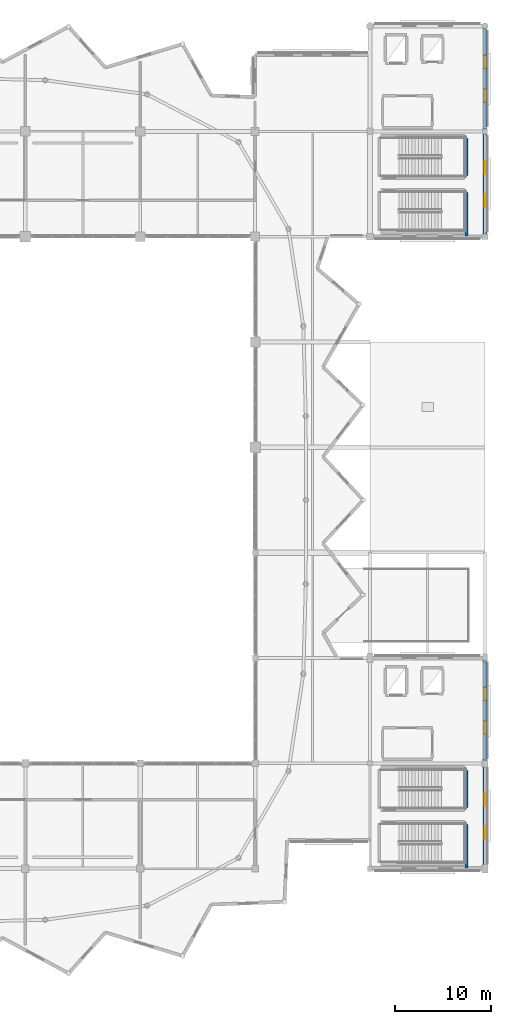
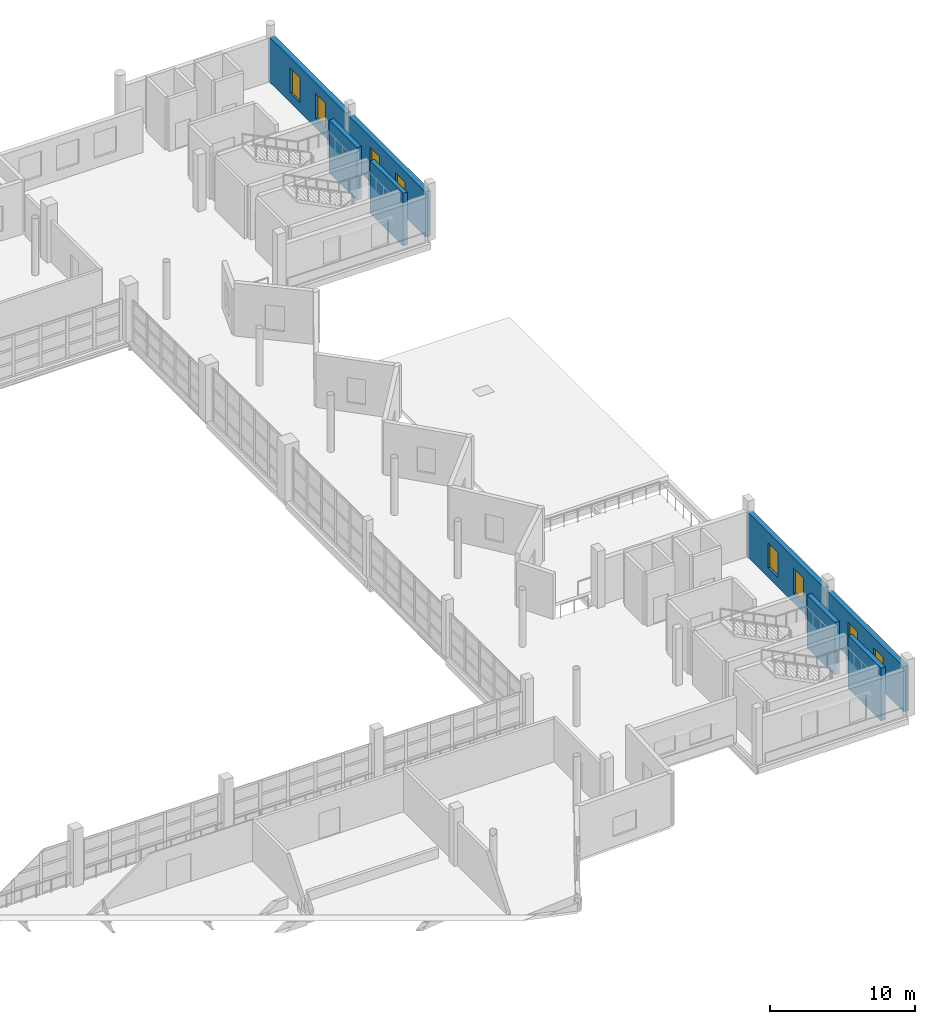
# One storey, part 44 of 53: 8 walls, 8 windows, 8 openings.
"""IFC4 building model written with IfcOpenShell, lengths in metres."""

from ifc_helpers import new_model, si_unit, direction, frame, frame_2d, origin, place, context, subcontext, project, spatial, rectangle, extrude, material, layer, layer_set, type_object, element, fill, save


model = new_model("IFC4")

# Units and contexts
model_context = context("Model", 3, precision=1e-05, world=origin(), true_north=direction((0.0, 1.0)))
body_context = subcontext(model_context, "Body", "Model", "MODEL_VIEW")
ifc_project = project(units=[si_unit("LENGTHUNIT", "METRE"), si_unit("AREAUNIT", "SQUARE_METRE"), si_unit("VOLUMEUNIT", "CUBIC_METRE"), si_unit("PLANEANGLEUNIT", "RADIAN"), si_unit("MASSUNIT", "GRAM", prefix="KILO")], contexts=[model_context])

# Site, building, storey
site_placement = place(None, origin())
site = spatial("IfcSite", under=ifc_project, at=site_placement, CompositionType="ELEMENT")
building_placement = place(site_placement, origin())
building = spatial("IfcBuilding", under=site, at=building_placement, Name="Luwafu Chhajja Arena", CompositionType="ELEMENT")
storey_placement = place(building_placement, frame((0.0, 0.0, 19.5)))
storey = spatial("IfcBuildingStorey", under=building, at=storey_placement, Name="L04", CompositionType="ELEMENT", Elevation=19.5)

# Walls
ifc_material_1 = material(Name="Concrete C40/50", Category="concrete")
ifc_layer_1 = layer(ifc_material_1, 0.35009765625, Name="Concrete C40/50")
ifc_layer_set_1 = layer_set([ifc_layer_1], Name="Concrete C40/50")
wall_type_1 = type_object("IfcWallType", Name="RC Core Shear Wall 350", PredefinedType="SOLIDWALL", material=ifc_layer_set_1)
wall_1_placement = place(storey_placement, frame((162.072021484375, 11.050048828125, 0.0), z_axis=(0.0, 0.0, 1.0), x_axis=(0.0, 1.0, 0.0)))
element("IfcWall", 1, at=wall_1_placement, inside=storey, type_object=wall_type_1, Name="L04 Stair ST-03 Core Shear Wall E", PredefinedType="SOLIDWALL", context=body_context, shape_type="SweptSolid", body=[
    extrude(rectangle(XDim=4.5400390625, YDim=0.35009765625, at=frame_2d((2.27001953125, 0.0))), origin(), (0.0, 0.0, 1.0), 4.4599609375),
])
wall_2_placement = place(storey_placement, frame((162.072021484375, 17.409912109375, 0.0), z_axis=(0.0, 0.0, 1.0), x_axis=(0.0, 1.0, 0.0)))
element("IfcWall", 2, at=wall_2_placement, inside=storey, type_object=wall_type_1, Name="L04 Stair ST-04 Core Shear Wall E", PredefinedType="SOLIDWALL", context=body_context, shape_type="SweptSolid", body=[
    extrude(rectangle(XDim=3.840087890625, YDim=0.35009765625, at=frame_2d((1.919921875, 0.0))), origin(), (0.0, 0.0, 1.0), 4.4599609375),
])
wall_3_placement = place(storey_placement, frame((162.072021484375, 77.050048828125, 0.0), z_axis=(0.0, 0.0, 1.0), x_axis=(0.0, 1.0, 0.0)))
element("IfcWall", 3, at=wall_3_placement, inside=storey, type_object=wall_type_1, Name="L04 Stair ST-07 Core Shear Wall E", PredefinedType="SOLIDWALL", context=body_context, shape_type="SweptSolid", body=[
    extrude(rectangle(XDim=4.5400390625, YDim=0.35009765625, at=frame_2d((2.27001953125, 0.0))), origin(), (0.0, 0.0, 1.0), 4.4599609375),
])
wall_4_placement = place(storey_placement, frame((162.072021484375, 83.409912109375, 0.0), z_axis=(0.0, 0.0, 1.0), x_axis=(0.0, 1.0, 0.0)))
element("IfcWall", 4, at=wall_4_placement, inside=storey, type_object=wall_type_1, Name="L04 Stair ST-08 Core Shear Wall E", PredefinedType="SOLIDWALL", context=body_context, shape_type="SweptSolid", body=[
    extrude(rectangle(XDim=3.840087890625, YDim=0.35009765625, at=frame_2d((1.919921875, 0.0))), origin(), (0.0, 0.0, 1.0), 4.4599609375),
])

# Wall, openings, windows
ifc_layer_2 = layer(ifc_material_1, 0.39990234375, Name="Concrete C40/50")
ifc_layer_set_2 = layer_set([ifc_layer_2], Name="Concrete C40/50")
wall_type_2 = type_object("IfcWallType", Name="RC Core Shear Wall 400", PredefinedType="SOLIDWALL", material=ifc_layer_set_2)
wall_5_placement = place(storey_placement, frame((164.0, 11.219970703125, 0.0), z_axis=(0.0, 0.0, 1.0), x_axis=(0.0, 1.0, 0.0)))
wall_5 = element("IfcWall", 5, at=wall_5_placement, inside=storey, type_object=wall_type_2, Name="L04 Exterior Wall WEX-L04-225", PredefinedType="SOLIDWALL", context=body_context, shape_type="SweptSolid", body=[
    extrude(rectangle(XDim=10.56005859375, YDim=0.39990234375, at=frame_2d((5.280029296875, 0.0))), origin(), (0.0, 0.0, 1.0), 3.7900390625),
])
opening_1_placement = place(wall_5_placement, frame((2.844970703125, 0.0, 0.800048828125)))
opening_1 = element("IfcOpeningElement", 6, at=opening_1_placement, cuts=wall_5, Name="Opening WN-17", PredefinedType="OPENING", context=body_context, shape_type="SweptSolid", body=[
    extrude(rectangle(XDim=1.35009765625, YDim=2.10009765625, at=frame_2d((0.675048828125, 1.050048828125))), frame((0.0, 0.2099609375, 0.0), z_axis=(0.0, -1.0, 0.0), x_axis=(1.0, 0.0, 0.0)), (0.0, 0.0, 1.0), 0.419921875),
])
opening_2_placement = place(wall_5_placement, frame((6.364990234375, 0.0, 0.800048828125)))
opening_2 = element("IfcOpeningElement", 7, at=opening_2_placement, cuts=wall_5, Name="Opening WN-17", PredefinedType="OPENING", context=body_context, shape_type="SweptSolid", body=[
    extrude(rectangle(XDim=1.35009765625, YDim=2.10009765625, at=frame_2d((0.675048828125, 1.050048828125))), frame((0.0, 0.2099609375, 0.0), z_axis=(0.0, -1.0, 0.0), x_axis=(1.0, 0.0, 0.0)), (0.0, 0.0, 1.0), 0.419921875),
])
ifc_material_2 = material(Name="Solar-control laminated glass", Category="glass")
window_type = type_object("IfcWindowType", Name="Exhibition Mezzanine Lancet Window 1350x2100", PartitioningType="SINGLE_PANEL", PredefinedType="WINDOW", material=ifc_material_2)
window_1_placement = place(opening_1_placement, origin())
window_1 = element("IfcWindow", 8, at=window_1_placement, inside=storey, type_object=window_type, Name="L04 Facade Window 196", OverallHeight=2.10009765625, OverallWidth=1.35009765625, PartitioningType="SINGLE_PANEL", PredefinedType="WINDOW", context=body_context, shape_type="SweptSolid", body=[
    extrude(rectangle(XDim=1.35009765625, YDim=2.10009765625, at=frame_2d((0.675048828125, 1.050048828125))), frame((0.0, 0.030029296875, 0.0), z_axis=(0.0, -1.0, 0.0), x_axis=(1.0, 0.0, 0.0)), (0.0, 0.0, 1.0), 0.06005859375),
])
fill(opening_1, window_1)
window_2_placement = place(opening_2_placement, origin())
window_2 = element("IfcWindow", 9, at=window_2_placement, inside=storey, type_object=window_type, Name="L04 Facade Window 197", OverallHeight=2.10009765625, OverallWidth=1.35009765625, PartitioningType="SINGLE_PANEL", PredefinedType="WINDOW", context=body_context, shape_type="SweptSolid", body=[
    extrude(rectangle(XDim=1.35009765625, YDim=2.10009765625, at=frame_2d((0.675048828125, 1.050048828125))), frame((0.0, 0.030029296875, 0.0), z_axis=(0.0, -1.0, 0.0), x_axis=(1.0, 0.0, 0.0)), (0.0, 0.0, 1.0), 0.06005859375),
])
fill(opening_2, window_2)

wall_6_placement = place(storey_placement, frame((164.0, 22.219970703125, 0.0), z_axis=(0.0, 0.0, 1.0), x_axis=(0.0, 1.0, 0.0)))
wall_6 = element("IfcWall", 10, at=wall_6_placement, inside=storey, type_object=wall_type_2, Name="L04 Exterior Wall WEX-L04-227", PredefinedType="SOLIDWALL", context=body_context, shape_type="SweptSolid", body=[
    extrude(rectangle(XDim=10.56005859375, YDim=0.39990234375, at=frame_2d((5.280029296875, 0.0))), origin(), (0.0, 0.0, 1.0), 3.7900390625),
])
opening_3_placement = place(wall_6_placement, frame((2.844970703125, 0.0, 0.800048828125)))
opening_3 = element("IfcOpeningElement", 11, at=opening_3_placement, cuts=wall_6, Name="Opening WN-17", PredefinedType="OPENING", context=body_context, shape_type="SweptSolid", body=[
    extrude(rectangle(XDim=1.35009765625, YDim=2.10009765625, at=frame_2d((0.675048828125, 1.050048828125))), frame((0.0, 0.2099609375, 0.0), z_axis=(0.0, -1.0, 0.0), x_axis=(1.0, 0.0, 0.0)), (0.0, 0.0, 1.0), 0.419921875),
])
opening_4_placement = place(wall_6_placement, frame((6.364990234375, 0.0, 0.800048828125)))
opening_4 = element("IfcOpeningElement", 12, at=opening_4_placement, cuts=wall_6, Name="Opening WN-17", PredefinedType="OPENING", context=body_context, shape_type="SweptSolid", body=[
    extrude(rectangle(XDim=1.35009765625, YDim=2.10009765625, at=frame_2d((0.675048828125, 1.050048828125))), frame((0.0, 0.2099609375, 0.0), z_axis=(0.0, -1.0, 0.0), x_axis=(1.0, 0.0, 0.0)), (0.0, 0.0, 1.0), 0.419921875),
])
window_3_placement = place(opening_3_placement, origin())
window_3 = element("IfcWindow", 13, at=window_3_placement, inside=storey, type_object=window_type, Name="L04 Facade Window 200", OverallHeight=2.10009765625, OverallWidth=1.35009765625, PartitioningType="SINGLE_PANEL", PredefinedType="WINDOW", context=body_context, shape_type="SweptSolid", body=[
    extrude(rectangle(XDim=1.35009765625, YDim=2.10009765625, at=frame_2d((0.675048828125, 1.050048828125))), frame((0.0, 0.030029296875, 0.0), z_axis=(0.0, -1.0, 0.0), x_axis=(1.0, 0.0, 0.0)), (0.0, 0.0, 1.0), 0.06005859375),
])
fill(opening_3, window_3)
window_4_placement = place(opening_4_placement, origin())
window_4 = element("IfcWindow", 14, at=window_4_placement, inside=storey, type_object=window_type, Name="L04 Facade Window 201", OverallHeight=2.10009765625, OverallWidth=1.35009765625, PartitioningType="SINGLE_PANEL", PredefinedType="WINDOW", context=body_context, shape_type="SweptSolid", body=[
    extrude(rectangle(XDim=1.35009765625, YDim=2.10009765625, at=frame_2d((0.675048828125, 1.050048828125))), frame((0.0, 0.030029296875, 0.0), z_axis=(0.0, -1.0, 0.0), x_axis=(1.0, 0.0, 0.0)), (0.0, 0.0, 1.0), 0.06005859375),
])
fill(opening_4, window_4)

wall_7_placement = place(storey_placement, frame((164.0, 77.219970703125, 0.0), z_axis=(0.0, 0.0, 1.0), x_axis=(0.0, 1.0, 0.0)))
wall_7 = element("IfcWall", 15, at=wall_7_placement, inside=storey, type_object=wall_type_2, Name="L04 Exterior Wall WEX-L04-229", PredefinedType="SOLIDWALL", context=body_context, shape_type="SweptSolid", body=[
    extrude(rectangle(XDim=10.56005859375, YDim=0.39990234375, at=frame_2d((5.280029296875, 0.0))), origin(), (0.0, 0.0, 1.0), 3.7900390625),
])
opening_5_placement = place(wall_7_placement, frame((2.844970703125, 0.0, 0.800048828125)))
opening_5 = element("IfcOpeningElement", 16, at=opening_5_placement, cuts=wall_7, Name="Opening WN-17", PredefinedType="OPENING", context=body_context, shape_type="SweptSolid", body=[
    extrude(rectangle(XDim=1.35009765625, YDim=2.10009765625, at=frame_2d((0.675048828125, 1.050048828125))), frame((0.0, 0.2099609375, 0.0), z_axis=(0.0, -1.0, 0.0), x_axis=(1.0, 0.0, 0.0)), (0.0, 0.0, 1.0), 0.419921875),
])
opening_6_placement = place(wall_7_placement, frame((6.364990234375, 0.0, 0.800048828125)))
opening_6 = element("IfcOpeningElement", 17, at=opening_6_placement, cuts=wall_7, Name="Opening WN-17", PredefinedType="OPENING", context=body_context, shape_type="SweptSolid", body=[
    extrude(rectangle(XDim=1.35009765625, YDim=2.10009765625, at=frame_2d((0.675048828125, 1.050048828125))), frame((0.0, 0.2099609375, 0.0), z_axis=(0.0, -1.0, 0.0), x_axis=(1.0, 0.0, 0.0)), (0.0, 0.0, 1.0), 0.419921875),
])
window_5_placement = place(opening_5_placement, origin())
window_5 = element("IfcWindow", 18, at=window_5_placement, inside=storey, type_object=window_type, Name="L04 Facade Window 204", OverallHeight=2.10009765625, OverallWidth=1.35009765625, PartitioningType="SINGLE_PANEL", PredefinedType="WINDOW", context=body_context, shape_type="SweptSolid", body=[
    extrude(rectangle(XDim=1.35009765625, YDim=2.10009765625, at=frame_2d((0.675048828125, 1.050048828125))), frame((0.0, 0.030029296875, 0.0), z_axis=(0.0, -1.0, 0.0), x_axis=(1.0, 0.0, 0.0)), (0.0, 0.0, 1.0), 0.06005859375),
])
fill(opening_5, window_5)
window_6_placement = place(opening_6_placement, origin())
window_6 = element("IfcWindow", 19, at=window_6_placement, inside=storey, type_object=window_type, Name="L04 Facade Window 205", OverallHeight=2.10009765625, OverallWidth=1.35009765625, PartitioningType="SINGLE_PANEL", PredefinedType="WINDOW", context=body_context, shape_type="SweptSolid", body=[
    extrude(rectangle(XDim=1.35009765625, YDim=2.10009765625, at=frame_2d((0.675048828125, 1.050048828125))), frame((0.0, 0.030029296875, 0.0), z_axis=(0.0, -1.0, 0.0), x_axis=(1.0, 0.0, 0.0)), (0.0, 0.0, 1.0), 0.06005859375),
])
fill(opening_6, window_6)

wall_8_placement = place(storey_placement, frame((164.0, 88.219970703125, 0.0), z_axis=(0.0, 0.0, 1.0), x_axis=(0.0, 1.0, 0.0)))
wall_8 = element("IfcWall", 20, at=wall_8_placement, inside=storey, type_object=wall_type_2, Name="L04 Exterior Wall WEX-L04-231", PredefinedType="SOLIDWALL", context=body_context, shape_type="SweptSolid", body=[
    extrude(rectangle(XDim=10.56005859375, YDim=0.39990234375, at=frame_2d((5.280029296875, 0.0))), origin(), (0.0, 0.0, 1.0), 3.7900390625),
])
opening_7_placement = place(wall_8_placement, frame((2.844970703125, 0.0, 0.800048828125)))
opening_7 = element("IfcOpeningElement", 21, at=opening_7_placement, cuts=wall_8, Name="Opening WN-17", PredefinedType="OPENING", context=body_context, shape_type="SweptSolid", body=[
    extrude(rectangle(XDim=1.35009765625, YDim=2.10009765625, at=frame_2d((0.675048828125, 1.050048828125))), frame((0.0, 0.2099609375, 0.0), z_axis=(0.0, -1.0, 0.0), x_axis=(1.0, 0.0, 0.0)), (0.0, 0.0, 1.0), 0.419921875),
])
opening_8_placement = place(wall_8_placement, frame((6.364990234375, 0.0, 0.800048828125)))
opening_8 = element("IfcOpeningElement", 22, at=opening_8_placement, cuts=wall_8, Name="Opening WN-17", PredefinedType="OPENING", context=body_context, shape_type="SweptSolid", body=[
    extrude(rectangle(XDim=1.35009765625, YDim=2.10009765625, at=frame_2d((0.675048828125, 1.050048828125))), frame((0.0, 0.2099609375, 0.0), z_axis=(0.0, -1.0, 0.0), x_axis=(1.0, 0.0, 0.0)), (0.0, 0.0, 1.0), 0.419921875),
])
window_7_placement = place(opening_7_placement, origin())
window_7 = element("IfcWindow", 23, at=window_7_placement, inside=storey, type_object=window_type, Name="L04 Facade Window 208", OverallHeight=2.10009765625, OverallWidth=1.35009765625, PartitioningType="SINGLE_PANEL", PredefinedType="WINDOW", context=body_context, shape_type="SweptSolid", body=[
    extrude(rectangle(XDim=1.35009765625, YDim=2.10009765625, at=frame_2d((0.675048828125, 1.050048828125))), frame((0.0, 0.030029296875, 0.0), z_axis=(0.0, -1.0, 0.0), x_axis=(1.0, 0.0, 0.0)), (0.0, 0.0, 1.0), 0.06005859375),
])
fill(opening_7, window_7)
window_8_placement = place(opening_8_placement, origin())
window_8 = element("IfcWindow", 24, at=window_8_placement, inside=storey, type_object=window_type, Name="L04 Facade Window 209", OverallHeight=2.10009765625, OverallWidth=1.35009765625, PartitioningType="SINGLE_PANEL", PredefinedType="WINDOW", context=body_context, shape_type="SweptSolid", body=[
    extrude(rectangle(XDim=1.35009765625, YDim=2.10009765625, at=frame_2d((0.675048828125, 1.050048828125))), frame((0.0, 0.030029296875, 0.0), z_axis=(0.0, -1.0, 0.0), x_axis=(1.0, 0.0, 0.0)), (0.0, 0.0, 1.0), 0.06005859375),
])
fill(opening_8, window_8)

save(model, "model.ifc")
